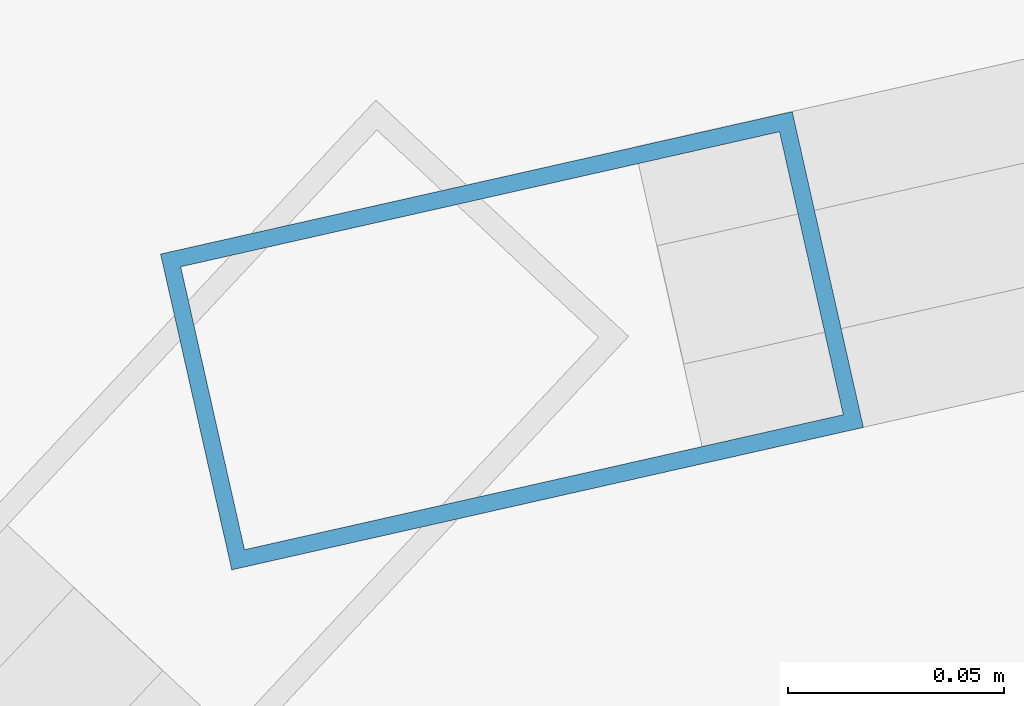
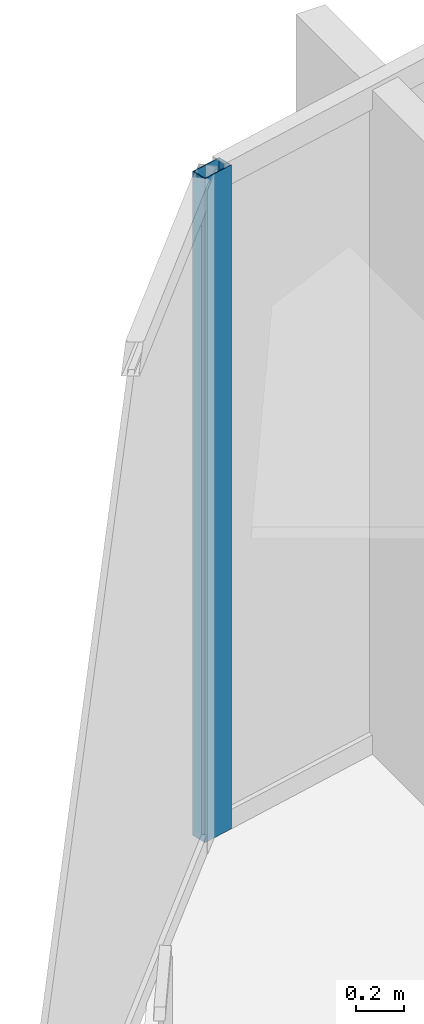
# One storey, part 17 of 33: 1 member, 1 element without a shape of its own.
"""IFC4 building model written with IfcOpenShell, lengths in metres."""

from ifc_helpers import new_model, si_unit, direction, frame, origin, origin_2d, place, context, subcontext, project, spatial, hollow_rectangle, extrude, material, layer, layer_set, material_profile, profile_set, type_object, element, aggregate, save


model = new_model("IFC4")

# Units and contexts
model_context = context("Model", 3, precision=1e-05, world=origin(), true_north=direction((0.0, 1.0)))
body_context = subcontext(model_context, "Body", "Model", "MODEL_VIEW")
ifc_project = project(units=[si_unit("LENGTHUNIT", "METRE"), si_unit("AREAUNIT", "SQUARE_METRE"), si_unit("VOLUMEUNIT", "CUBIC_METRE"), si_unit("PLANEANGLEUNIT", "RADIAN"), si_unit("MASSUNIT", "GRAM", prefix="KILO")], contexts=[model_context])

# Site, building, storey
site_placement = place(None, origin())
site = spatial("IfcSite", under=ifc_project, at=site_placement, CompositionType="ELEMENT")
building_placement = place(site_placement, origin())
building = spatial("IfcBuilding", under=site, at=building_placement, Name="Kazevale Care Tower and Concert Hall", CompositionType="ELEMENT")
storey_placement = place(building_placement, frame((0.0, 0.0, 49.199951171875)))
storey = spatial("IfcBuildingStorey", under=building, at=storey_placement, Name="L12", CompositionType="ELEMENT", Elevation=49.199951171875)

# Curtain wall, member
ifc_material_1 = material(Name="Aluminium 6063-T6 and Low-E Glass", Category="aluminium")
ifc_layer = layer(ifc_material_1, 0.179931640625)
ifc_layer_set = layer_set([ifc_layer], Name="Aluminium 6063-T6 and Low-E Glass")
curtain_wall_type = type_object("IfcCurtainWallType", Name="Convex Recessed Sunroom Curtain Wall CW-3", PredefinedType="NOTDEFINED", material=ifc_layer_set)
curtain_wall_placement = place(storey_placement, origin())
curtain_wall = element("IfcCurtainWall", 1, at=curtain_wall_placement, inside=storey, type_object=curtain_wall_type, Name="cw:L12:f15", PredefinedType="NOTDEFINED")
ifc_material_2 = material(Name="Aluminium 6063-T6", Category="aluminium")
ifc_material_profile = material_profile(ifc_material_2, hollow_rectangle(XDim=0.074951171875, YDim=0.14990234375, WallThickness=0.00390625, at=origin_2d()), Name="ALU75x150x4")
ifc_profile_set = profile_set([ifc_material_profile], Name="Aluminium 6063-T6")
member_type = type_object("IfcMemberType", Name="CW-3 Mullion ALU75x150x4", PredefinedType="MULLION", material=ifc_profile_set)
member_placement = place(storey_placement, frame((25.073486328125, 62.88525390625, 0.0), z_axis=(0.0, 0.0, 1.0), x_axis=(-0.219910670667, 0.975520013596, 0.0)))
member = element("IfcMember", 2, at=member_placement, type_object=member_type, Name="CW-3 mullion 1", PredefinedType="MULLION", context=body_context, shape_type="SweptSolid", body=[
    extrude(hollow_rectangle(XDim=0.074951171875, YDim=0.14990234375, WallThickness=0.00390625, at=origin_2d()), origin(), (0.0, 0.0, 1.0), 3.360107421875),
])
aggregate(curtain_wall, [member])

save(model, "model.ifc")
